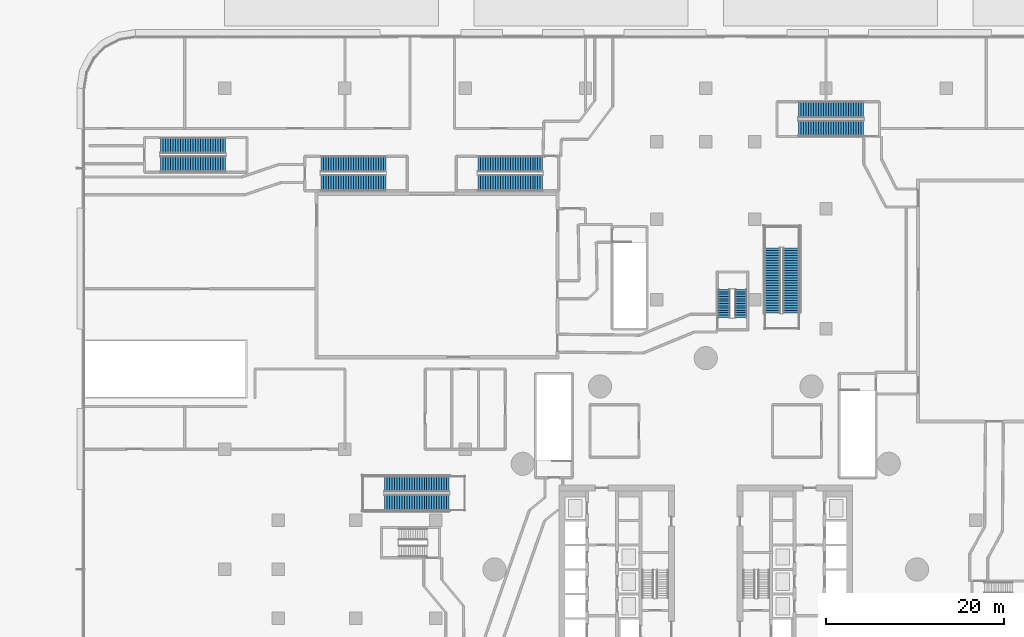
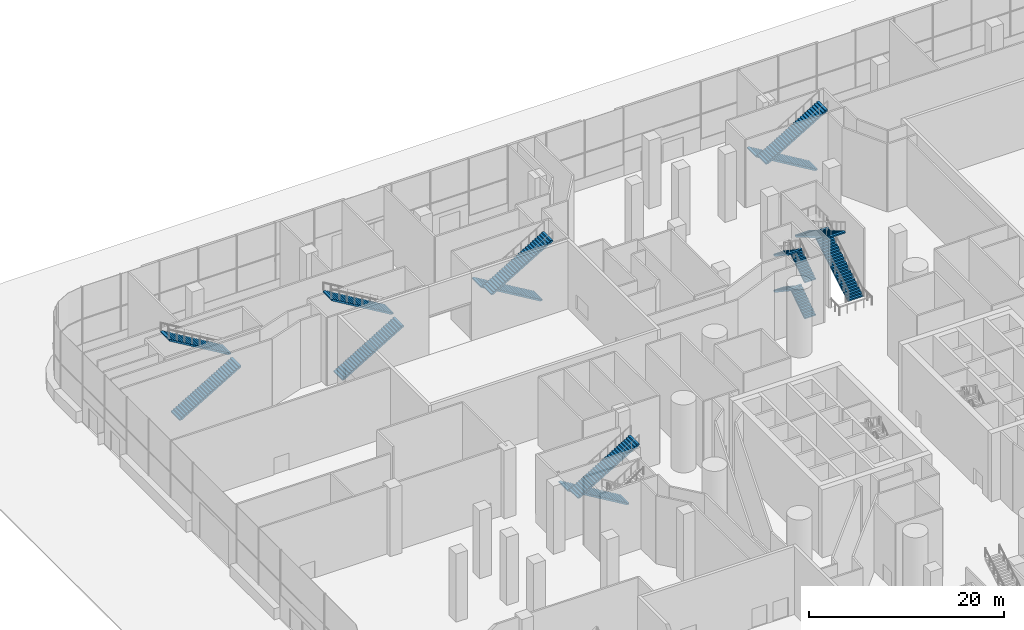
# One storey, part 36 of 54: 16 stair flights, 7 elements without a shape of their own.
"""IFC4 building model written with IfcOpenShell, lengths in metres."""

from ifc_helpers import new_model, si_unit, direction, frame, origin, place, context, subcontext, project, spatial, polyline, outline, extrude, material, type_object, element, aggregate, save


model = new_model("IFC4")

# Units and contexts
model_context = context("Model", 3, precision=1e-05, world=origin(), true_north=direction((0.0, 1.0)))
body_context = subcontext(model_context, "Body", "Model", "MODEL_VIEW")
ifc_project = project(units=[si_unit("LENGTHUNIT", "METRE"), si_unit("AREAUNIT", "SQUARE_METRE"), si_unit("VOLUMEUNIT", "CUBIC_METRE"), si_unit("PLANEANGLEUNIT", "RADIAN"), si_unit("MASSUNIT", "GRAM", prefix="KILO")], contexts=[model_context])

# Site, building, storey
site_placement = place(None, origin())
site = spatial("IfcSite", under=ifc_project, at=site_placement, CompositionType="ELEMENT")
building_placement = place(site_placement, origin())
building = spatial("IfcBuilding", under=site, at=building_placement, Name="Tamarind Cross Interchange Tower", CompositionType="ELEMENT")
storey_placement = place(building_placement, origin())
storey = spatial("IfcBuildingStorey", under=building, at=storey_placement, Name="L00", CompositionType="ELEMENT", Elevation=0.0)

# Stair, stair flights
ifc_material_1 = material(Name="Exit stair")
stair_type_1 = type_object("IfcStairType", Name="Exit stair", PredefinedType="HALF_TURN_STAIR", material=ifc_material_1)
stair_1_placement = place(storey_placement, origin())
stair_1 = element("IfcStair", 1, at=stair_1_placement, inside=storey, type_object=stair_type_1, Name="L00 exit stair ST4", PredefinedType="HALF_TURN_STAIR")
ifc_material_2 = material(Name="Exit stair flight")
stair_flight_type_1 = type_object("IfcStairFlightType", Name="Exit stair flight", PredefinedType="STRAIGHT", material=ifc_material_2)
stair_flight_1_placement = place(storey_placement, frame((3.949951171875, 28.300048828125, 0.0), z_axis=(0.0, 0.0, 1.0), x_axis=(0.0, 1.0, 0.0)))
stair_flight_1 = element("IfcStairFlight", 2, at=stair_flight_1_placement, type_object=stair_flight_type_1, Name="ST4 flight 1", NumberOfRisers=13, NumberOfTreads=12, PredefinedType="STRAIGHT", RiserHeight=0.173076923, TreadLength=0.26, context=body_context, shape_type="SweptSolid", body=[
    extrude(outline(polyline([(0.0, 0.0), (0.0, 0.173095703125), (0.260009765625, 0.173095703125), (0.260009765625, 0.34619140625), (0.52001953125, 0.34619140625), (0.52001953125, 0.519287109375), (0.780029296875, 0.519287109375), (0.780029296875, 0.6923828125), (1.0400390625, 0.6923828125), (1.0400390625, 0.865478515625), (1.300048828125, 0.865478515625), (1.300048828125, 1.03857421875), (1.56005859375, 1.03857421875), (1.56005859375, 1.21142578125), (1.820068359375, 1.21142578125), (1.820068359375, 1.384521484375), (2.080078125, 1.384521484375), (2.080078125, 1.5576171875), (2.340087890625, 1.5576171875), (2.340087890625, 1.730712890625), (2.60009765625, 1.730712890625), (2.60009765625, 1.90380859375), (2.860107421875, 1.90380859375), (2.860107421875, 2.076904296875), (3.1201171875, 2.076904296875), (3.1201171875, 2.25), (3.1201171875, 1.896728515625), (0.2705078125, 0.0), (0.0, 0.0)])), frame((0.0, 0.64990234375, 0.0), z_axis=(0.0, -1.0, 0.0), x_axis=(1.0, 0.0, 0.0)), (0.0, 0.0, 1.0), 1.300048828125),
])
stair_flight_2_placement = place(storey_placement, frame((2.050048828125, 31.419921875, 2.25), z_axis=(0.0, 0.0, 1.0), x_axis=(0.0, -1.0, 0.0)))
stair_flight_2 = element("IfcStairFlight", 3, at=stair_flight_2_placement, type_object=stair_flight_type_1, Name="ST4 flight 2", NumberOfRisers=13, NumberOfTreads=12, PredefinedType="STRAIGHT", RiserHeight=0.173076923, TreadLength=0.26, context=body_context, shape_type="SweptSolid", body=[
    extrude(outline(polyline([(0.0, 0.0), (0.0, 0.173095703125), (0.260009765625, 0.173095703125), (0.260009765625, 0.34619140625), (0.52001953125, 0.34619140625), (0.52001953125, 0.519287109375), (0.780029296875, 0.519287109375), (0.780029296875, 0.6923828125), (1.0400390625, 0.6923828125), (1.0400390625, 0.865478515625), (1.300048828125, 0.865478515625), (1.300048828125, 1.03857421875), (1.56005859375, 1.03857421875), (1.56005859375, 1.21142578125), (1.820068359375, 1.21142578125), (1.820068359375, 1.384521484375), (2.080078125, 1.384521484375), (2.080078125, 1.5576171875), (2.340087890625, 1.5576171875), (2.340087890625, 1.730712890625), (2.60009765625, 1.730712890625), (2.60009765625, 1.90380859375), (2.860107421875, 1.90380859375), (2.860107421875, 2.076904296875), (3.1201171875, 2.076904296875), (3.1201171875, 2.25), (3.1201171875, 1.896728515625), (0.2705078125, 0.0), (0.0, 0.0)])), frame((0.0, 0.64990234375, 0.0), z_axis=(0.0, -1.0, 0.0), x_axis=(1.0, 0.0, 0.0)), (0.0, 0.0, 1.0), 1.300048828125),
])
stair_flight_3_placement = place(storey_placement, frame((3.949951171875, 28.300048828125, 4.5), z_axis=(0.0, 0.0, 1.0), x_axis=(0.0, 1.0, 0.0)))
stair_flight_3 = element("IfcStairFlight", 4, at=stair_flight_3_placement, type_object=stair_flight_type_1, Name="ST4 flight 3", NumberOfRisers=13, NumberOfTreads=12, PredefinedType="STRAIGHT", RiserHeight=0.173076923, TreadLength=0.26, context=body_context, shape_type="SweptSolid", body=[
    extrude(outline(polyline([(0.0, 0.0), (0.0, 0.173095703125), (0.260009765625, 0.173095703125), (0.260009765625, 0.34619140625), (0.52001953125, 0.34619140625), (0.52001953125, 0.519287109375), (0.780029296875, 0.519287109375), (0.780029296875, 0.6923828125), (1.0400390625, 0.6923828125), (1.0400390625, 0.865478515625), (1.300048828125, 0.865478515625), (1.300048828125, 1.03857421875), (1.56005859375, 1.03857421875), (1.56005859375, 1.21142578125), (1.820068359375, 1.21142578125), (1.820068359375, 1.384521484375), (2.080078125, 1.384521484375), (2.080078125, 1.5576171875), (2.340087890625, 1.5576171875), (2.340087890625, 1.730712890625), (2.60009765625, 1.730712890625), (2.60009765625, 1.90380859375), (2.860107421875, 1.90380859375), (2.860107421875, 2.076904296875), (3.1201171875, 2.076904296875), (3.1201171875, 2.25), (3.1201171875, 1.896728515625), (0.2705078125, 0.0), (0.0, 0.0)])), frame((0.0, 0.64990234375, 0.0), z_axis=(0.0, -1.0, 0.0), x_axis=(1.0, 0.0, 0.0)), (0.0, 0.0, 1.0), 1.300048828125),
])
stair_flight_4_placement = place(storey_placement, frame((2.050048828125, 31.419921875, 6.75), z_axis=(0.0, 0.0, 1.0), x_axis=(0.0, -1.0, 0.0)))
stair_flight_4 = element("IfcStairFlight", 5, at=stair_flight_4_placement, type_object=stair_flight_type_1, Name="ST4 flight 4", NumberOfRisers=13, NumberOfTreads=12, PredefinedType="STRAIGHT", RiserHeight=0.173076923, TreadLength=0.26, context=body_context, shape_type="SweptSolid", body=[
    extrude(outline(polyline([(0.0, 0.0), (0.0, 0.173095703125), (0.260009765625, 0.173095703125), (0.260009765625, 0.34619140625), (0.52001953125, 0.34619140625), (0.52001953125, 0.519287109375), (0.780029296875, 0.519287109375), (0.780029296875, 0.6923828125), (1.0400390625, 0.6923828125), (1.0400390625, 0.865478515625), (1.300048828125, 0.865478515625), (1.300048828125, 1.03857421875), (1.56005859375, 1.03857421875), (1.56005859375, 1.21142578125), (1.820068359375, 1.21142578125), (1.820068359375, 1.384521484375), (2.080078125, 1.384521484375), (2.080078125, 1.5576171875), (2.340087890625, 1.5576171875), (2.340087890625, 1.730712890625), (2.60009765625, 1.730712890625), (2.60009765625, 1.90380859375), (2.860107421875, 1.90380859375), (2.860107421875, 2.076904296875), (3.1201171875, 2.076904296875), (3.1201171875, 2.25), (3.1201171875, 1.896728515625), (0.2705078125, 0.0), (0.0, 0.0)])), frame((0.0, 0.64990234375, 0.0), z_axis=(0.0, -1.0, 0.0), x_axis=(1.0, 0.0, 0.0)), (0.0, 0.0, 1.0), 1.300048828125),
])
aggregate(stair_1, [stair_flight_1, stair_flight_2, stair_flight_3, stair_flight_4])

ifc_material_3 = material(Name="Public stair")
stair_type_2 = type_object("IfcStairType", Name="Public stair", PredefinedType="HALF_TURN_STAIR", material=ifc_material_3)
stair_2_placement = place(storey_placement, origin())
stair_2 = element("IfcStair", 6, at=stair_2_placement, inside=storey, type_object=stair_type_2, Name="L00 public stair PS-W", PredefinedType="HALF_TURN_STAIR")
ifc_material_4 = material(Name="Public stair flight")
stair_flight_type_2 = type_object("IfcStairFlightType", Name="Public stair flight", PredefinedType="STRAIGHT", material=ifc_material_4)
stair_flight_5_placement = place(storey_placement, frame((-28.800048828125, 9.60009765625, 0.0), z_axis=(0.0, 0.0, 1.0), x_axis=(-1.0, 0.0, 0.0)))
stair_flight_5 = element("IfcStairFlight", 7, at=stair_flight_5_placement, type_object=stair_flight_type_2, Name="PS-W flight 1", NumberOfRisers=27, NumberOfTreads=26, PredefinedType="STRAIGHT", RiserHeight=0.166666667, TreadLength=0.28, context=body_context, shape_type="SweptSolid", body=[
    extrude(outline(polyline([(0.0, 0.0), (0.0, 0.166748046875), (0.280029296875, 0.166748046875), (0.280029296875, 0.333251953125), (0.56005859375, 0.333251953125), (0.56005859375, 0.5), (0.840087890625, 0.5), (0.840087890625, 0.666748046875), (1.1201171875, 0.666748046875), (1.1201171875, 0.833251953125), (1.39990234375, 0.833251953125), (1.39990234375, 1.0), (1.679931640625, 1.0), (1.679931640625, 1.166748046875), (1.9599609375, 1.166748046875), (1.9599609375, 1.333251953125), (2.239990234375, 1.333251953125), (2.239990234375, 1.5), (2.52001953125, 1.5), (2.52001953125, 1.666748046875), (2.800048828125, 1.666748046875), (2.800048828125, 1.833251953125), (3.080078125, 1.833251953125), (3.080078125, 2.0), (3.360107421875, 2.0), (3.360107421875, 2.166748046875), (3.639892578125, 2.166748046875), (3.639892578125, 2.333251953125), (3.919921875, 2.333251953125), (3.919921875, 2.5), (4.199951171875, 2.5), (4.199951171875, 2.666748046875), (4.47998046875, 2.666748046875), (4.47998046875, 2.833251953125), (4.760009765625, 2.833251953125), (4.760009765625, 3.0), (5.0400390625, 3.0), (5.0400390625, 3.166748046875), (5.320068359375, 3.166748046875), (5.320068359375, 3.333251953125), (5.60009765625, 3.333251953125), (5.60009765625, 3.5), (5.8798828125, 3.5), (5.8798828125, 3.666748046875), (6.159912109375, 3.666748046875), (6.159912109375, 3.833251953125), (6.43994140625, 3.833251953125), (6.43994140625, 4.0), (6.719970703125, 4.0), (6.719970703125, 4.166748046875), (7.0, 4.166748046875), (7.0, 4.333251953125), (7.280029296875, 4.333251953125), (7.280029296875, 4.5), (7.280029296875, 4.158935546875), (0.29296875, 0.0), (0.0, 0.0)])), frame((0.0, 0.89990234375, 0.0), z_axis=(0.0, -1.0, 0.0), x_axis=(1.0, 0.0, 0.0)), (0.0, 0.0, 1.0), 1.800048828125),
])
stair_flight_6_placement = place(storey_placement, frame((-36.080078125, 7.5, 4.5), z_axis=(0.0, 0.0, 1.0), x_axis=(1.0, 0.0, 0.0)))
stair_flight_6 = element("IfcStairFlight", 8, at=stair_flight_6_placement, type_object=stair_flight_type_2, Name="PS-W flight 2", NumberOfRisers=27, NumberOfTreads=26, PredefinedType="STRAIGHT", RiserHeight=0.166666667, TreadLength=0.28, context=body_context, shape_type="SweptSolid", body=[
    extrude(outline(polyline([(0.0, 0.0), (0.0, 0.166748046875), (0.280029296875, 0.166748046875), (0.280029296875, 0.333251953125), (0.56005859375, 0.333251953125), (0.56005859375, 0.5), (0.840087890625, 0.5), (0.840087890625, 0.666748046875), (1.1201171875, 0.666748046875), (1.1201171875, 0.833251953125), (1.39990234375, 0.833251953125), (1.39990234375, 1.0), (1.679931640625, 1.0), (1.679931640625, 1.166748046875), (1.9599609375, 1.166748046875), (1.9599609375, 1.333251953125), (2.239990234375, 1.333251953125), (2.239990234375, 1.5), (2.52001953125, 1.5), (2.52001953125, 1.666748046875), (2.800048828125, 1.666748046875), (2.800048828125, 1.833251953125), (3.080078125, 1.833251953125), (3.080078125, 2.0), (3.360107421875, 2.0), (3.360107421875, 2.166748046875), (3.639892578125, 2.166748046875), (3.639892578125, 2.333251953125), (3.919921875, 2.333251953125), (3.919921875, 2.5), (4.199951171875, 2.5), (4.199951171875, 2.666748046875), (4.47998046875, 2.666748046875), (4.47998046875, 2.833251953125), (4.760009765625, 2.833251953125), (4.760009765625, 3.0), (5.0400390625, 3.0), (5.0400390625, 3.166748046875), (5.320068359375, 3.166748046875), (5.320068359375, 3.333251953125), (5.60009765625, 3.333251953125), (5.60009765625, 3.5), (5.8798828125, 3.5), (5.8798828125, 3.666748046875), (6.159912109375, 3.666748046875), (6.159912109375, 3.833251953125), (6.43994140625, 3.833251953125), (6.43994140625, 4.0), (6.719970703125, 4.0), (6.719970703125, 4.166748046875), (7.0, 4.166748046875), (7.0, 4.333251953125), (7.280029296875, 4.333251953125), (7.280029296875, 4.5), (7.280029296875, 4.158935546875), (0.29296875, 0.0), (0.0, 0.0)])), frame((0.0, 0.89990234375, 0.0), z_axis=(0.0, -1.0, 0.0), x_axis=(1.0, 0.0, 0.0)), (0.0, 0.0, 1.0), 1.800048828125),
])
aggregate(stair_2, [stair_flight_5, stair_flight_6])

stair_3_placement = place(storey_placement, origin())
stair_3 = element("IfcStair", 9, at=stair_3_placement, inside=storey, type_object=stair_type_2, Name="L00 public stair PS-N", PredefinedType="HALF_TURN_STAIR")
stair_flight_7_placement = place(storey_placement, frame((9.60009765625, 28.800048828125, 0.0), z_axis=(0.0, 0.0, 1.0), x_axis=(0.0, 1.0, 0.0)))
stair_flight_7 = element("IfcStairFlight", 10, at=stair_flight_7_placement, type_object=stair_flight_type_2, Name="PS-N flight 1", NumberOfRisers=27, NumberOfTreads=26, PredefinedType="STRAIGHT", RiserHeight=0.166666667, TreadLength=0.28, context=body_context, shape_type="SweptSolid", body=[
    extrude(outline(polyline([(0.0, 0.0), (0.0, 0.166748046875), (0.280029296875, 0.166748046875), (0.280029296875, 0.333251953125), (0.56005859375, 0.333251953125), (0.56005859375, 0.5), (0.840087890625, 0.5), (0.840087890625, 0.666748046875), (1.1201171875, 0.666748046875), (1.1201171875, 0.833251953125), (1.39990234375, 0.833251953125), (1.39990234375, 1.0), (1.679931640625, 1.0), (1.679931640625, 1.166748046875), (1.9599609375, 1.166748046875), (1.9599609375, 1.333251953125), (2.239990234375, 1.333251953125), (2.239990234375, 1.5), (2.52001953125, 1.5), (2.52001953125, 1.666748046875), (2.800048828125, 1.666748046875), (2.800048828125, 1.833251953125), (3.080078125, 1.833251953125), (3.080078125, 2.0), (3.360107421875, 2.0), (3.360107421875, 2.166748046875), (3.639892578125, 2.166748046875), (3.639892578125, 2.333251953125), (3.919921875, 2.333251953125), (3.919921875, 2.5), (4.199951171875, 2.5), (4.199951171875, 2.666748046875), (4.47998046875, 2.666748046875), (4.47998046875, 2.833251953125), (4.760009765625, 2.833251953125), (4.760009765625, 3.0), (5.0400390625, 3.0), (5.0400390625, 3.166748046875), (5.320068359375, 3.166748046875), (5.320068359375, 3.333251953125), (5.60009765625, 3.333251953125), (5.60009765625, 3.5), (5.8798828125, 3.5), (5.8798828125, 3.666748046875), (6.159912109375, 3.666748046875), (6.159912109375, 3.833251953125), (6.43994140625, 3.833251953125), (6.43994140625, 4.0), (6.719970703125, 4.0), (6.719970703125, 4.166748046875), (7.0, 4.166748046875), (7.0, 4.333251953125), (7.280029296875, 4.333251953125), (7.280029296875, 4.5), (7.280029296875, 4.158935546875), (0.29296875, 0.0), (0.0, 0.0)])), frame((0.0, 0.89990234375, 0.0), z_axis=(0.0, -1.0, 0.0), x_axis=(1.0, 0.0, 0.0)), (0.0, 0.0, 1.0), 1.800048828125),
])
stair_flight_8_placement = place(storey_placement, frame((7.5, 36.080078125, 4.5), z_axis=(0.0, 0.0, 1.0), x_axis=(0.0, -1.0, 0.0)))
stair_flight_8 = element("IfcStairFlight", 11, at=stair_flight_8_placement, type_object=stair_flight_type_2, Name="PS-N flight 2", NumberOfRisers=27, NumberOfTreads=26, PredefinedType="STRAIGHT", RiserHeight=0.166666667, TreadLength=0.28, context=body_context, shape_type="SweptSolid", body=[
    extrude(outline(polyline([(0.0, 0.0), (0.0, 0.166748046875), (0.280029296875, 0.166748046875), (0.280029296875, 0.333251953125), (0.56005859375, 0.333251953125), (0.56005859375, 0.5), (0.840087890625, 0.5), (0.840087890625, 0.666748046875), (1.1201171875, 0.666748046875), (1.1201171875, 0.833251953125), (1.39990234375, 0.833251953125), (1.39990234375, 1.0), (1.679931640625, 1.0), (1.679931640625, 1.166748046875), (1.9599609375, 1.166748046875), (1.9599609375, 1.333251953125), (2.239990234375, 1.333251953125), (2.239990234375, 1.5), (2.52001953125, 1.5), (2.52001953125, 1.666748046875), (2.800048828125, 1.666748046875), (2.800048828125, 1.833251953125), (3.080078125, 1.833251953125), (3.080078125, 2.0), (3.360107421875, 2.0), (3.360107421875, 2.166748046875), (3.639892578125, 2.166748046875), (3.639892578125, 2.333251953125), (3.919921875, 2.333251953125), (3.919921875, 2.5), (4.199951171875, 2.5), (4.199951171875, 2.666748046875), (4.47998046875, 2.666748046875), (4.47998046875, 2.833251953125), (4.760009765625, 2.833251953125), (4.760009765625, 3.0), (5.0400390625, 3.0), (5.0400390625, 3.166748046875), (5.320068359375, 3.166748046875), (5.320068359375, 3.333251953125), (5.60009765625, 3.333251953125), (5.60009765625, 3.5), (5.8798828125, 3.5), (5.8798828125, 3.666748046875), (6.159912109375, 3.666748046875), (6.159912109375, 3.833251953125), (6.43994140625, 3.833251953125), (6.43994140625, 4.0), (6.719970703125, 4.0), (6.719970703125, 4.166748046875), (7.0, 4.166748046875), (7.0, 4.333251953125), (7.280029296875, 4.333251953125), (7.280029296875, 4.5), (7.280029296875, 4.158935546875), (0.29296875, 0.0), (0.0, 0.0)])), frame((0.0, 0.89990234375, 0.0), z_axis=(0.0, -1.0, 0.0), x_axis=(1.0, 0.0, 0.0)), (0.0, 0.0, 1.0), 1.800048828125),
])
aggregate(stair_3, [stair_flight_7, stair_flight_8])

stair_4_placement = place(storey_placement, origin())
stair_4 = element("IfcStair", 12, at=stair_4_placement, inside=storey, type_object=stair_type_2, Name="L00 exit stair XS-P03", PredefinedType="HALF_TURN_STAIR")
stair_flight_9_placement = place(storey_placement, frame((17.699951171875, 51.60009765625, 0.0), z_axis=(0.0, 0.0, 1.0), x_axis=(-1.0, 0.0, 0.0)))
stair_flight_9 = element("IfcStairFlight", 13, at=stair_flight_9_placement, type_object=stair_flight_type_2, Name="XS-P03 flight 1", NumberOfRisers=27, NumberOfTreads=26, PredefinedType="STRAIGHT", RiserHeight=0.166666667, TreadLength=0.28, context=body_context, shape_type="SweptSolid", body=[
    extrude(outline(polyline([(0.0, 0.0), (0.0, 0.166748046875), (0.280029296875, 0.166748046875), (0.280029296875, 0.333251953125), (0.56005859375, 0.333251953125), (0.56005859375, 0.5), (0.840087890625, 0.5), (0.840087890625, 0.666748046875), (1.1201171875, 0.666748046875), (1.1201171875, 0.833251953125), (1.39990234375, 0.833251953125), (1.39990234375, 1.0), (1.679931640625, 1.0), (1.679931640625, 1.166748046875), (1.9599609375, 1.166748046875), (1.9599609375, 1.333251953125), (2.239990234375, 1.333251953125), (2.239990234375, 1.5), (2.52001953125, 1.5), (2.52001953125, 1.666748046875), (2.800048828125, 1.666748046875), (2.800048828125, 1.833251953125), (3.080078125, 1.833251953125), (3.080078125, 2.0), (3.360107421875, 2.0), (3.360107421875, 2.166748046875), (3.639892578125, 2.166748046875), (3.639892578125, 2.333251953125), (3.919921875, 2.333251953125), (3.919921875, 2.5), (4.199951171875, 2.5), (4.199951171875, 2.666748046875), (4.47998046875, 2.666748046875), (4.47998046875, 2.833251953125), (4.760009765625, 2.833251953125), (4.760009765625, 3.0), (5.0400390625, 3.0), (5.0400390625, 3.166748046875), (5.320068359375, 3.166748046875), (5.320068359375, 3.333251953125), (5.60009765625, 3.333251953125), (5.60009765625, 3.5), (5.8798828125, 3.5), (5.8798828125, 3.666748046875), (6.159912109375, 3.666748046875), (6.159912109375, 3.833251953125), (6.43994140625, 3.833251953125), (6.43994140625, 4.0), (6.719970703125, 4.0), (6.719970703125, 4.166748046875), (7.0, 4.166748046875), (7.0, 4.333251953125), (7.280029296875, 4.333251953125), (7.280029296875, 4.5), (7.280029296875, 4.158935546875), (0.29296875, 0.0), (0.0, 0.0)])), frame((0.0, 0.89990234375, 0.0), z_axis=(0.0, -1.0, 0.0), x_axis=(1.0, 0.0, 0.0)), (0.0, 0.0, 1.0), 1.800048828125),
])
stair_flight_10_placement = place(storey_placement, frame((10.419921875, 49.5, 4.5), z_axis=(0.0, 0.0, 1.0), x_axis=(1.0, 0.0, 0.0)))
stair_flight_10 = element("IfcStairFlight", 14, at=stair_flight_10_placement, type_object=stair_flight_type_2, Name="XS-P03 flight 2", NumberOfRisers=27, NumberOfTreads=26, PredefinedType="STRAIGHT", RiserHeight=0.166666667, TreadLength=0.28, context=body_context, shape_type="SweptSolid", body=[
    extrude(outline(polyline([(0.0, 0.0), (0.0, 0.166748046875), (0.280029296875, 0.166748046875), (0.280029296875, 0.333251953125), (0.56005859375, 0.333251953125), (0.56005859375, 0.5), (0.840087890625, 0.5), (0.840087890625, 0.666748046875), (1.1201171875, 0.666748046875), (1.1201171875, 0.833251953125), (1.39990234375, 0.833251953125), (1.39990234375, 1.0), (1.679931640625, 1.0), (1.679931640625, 1.166748046875), (1.9599609375, 1.166748046875), (1.9599609375, 1.333251953125), (2.239990234375, 1.333251953125), (2.239990234375, 1.5), (2.52001953125, 1.5), (2.52001953125, 1.666748046875), (2.800048828125, 1.666748046875), (2.800048828125, 1.833251953125), (3.080078125, 1.833251953125), (3.080078125, 2.0), (3.360107421875, 2.0), (3.360107421875, 2.166748046875), (3.639892578125, 2.166748046875), (3.639892578125, 2.333251953125), (3.919921875, 2.333251953125), (3.919921875, 2.5), (4.199951171875, 2.5), (4.199951171875, 2.666748046875), (4.47998046875, 2.666748046875), (4.47998046875, 2.833251953125), (4.760009765625, 2.833251953125), (4.760009765625, 3.0), (5.0400390625, 3.0), (5.0400390625, 3.166748046875), (5.320068359375, 3.166748046875), (5.320068359375, 3.333251953125), (5.60009765625, 3.333251953125), (5.60009765625, 3.5), (5.8798828125, 3.5), (5.8798828125, 3.666748046875), (6.159912109375, 3.666748046875), (6.159912109375, 3.833251953125), (6.43994140625, 3.833251953125), (6.43994140625, 4.0), (6.719970703125, 4.0), (6.719970703125, 4.166748046875), (7.0, 4.166748046875), (7.0, 4.333251953125), (7.280029296875, 4.333251953125), (7.280029296875, 4.5), (7.280029296875, 4.158935546875), (0.29296875, 0.0), (0.0, 0.0)])), frame((0.0, 0.89990234375, 0.0), z_axis=(0.0, -1.0, 0.0), x_axis=(1.0, 0.0, 0.0)), (0.0, 0.0, 1.0), 1.800048828125),
])
aggregate(stair_4, [stair_flight_9, stair_flight_10])

stair_5_placement = place(storey_placement, origin())
stair_5 = element("IfcStair", 15, at=stair_5_placement, inside=storey, type_object=stair_type_2, Name="L00 exit stair XS-P04", PredefinedType="HALF_TURN_STAIR")
stair_flight_11_placement = place(storey_placement, frame((-43.199951171875, 43.39990234375, 0.0), z_axis=(0.0, 0.0, 1.0), x_axis=(1.0, 0.0, 0.0)))
stair_flight_11 = element("IfcStairFlight", 16, at=stair_flight_11_placement, type_object=stair_flight_type_2, Name="XS-P04 flight 1", NumberOfRisers=27, NumberOfTreads=26, PredefinedType="STRAIGHT", RiserHeight=0.166666667, TreadLength=0.28, context=body_context, shape_type="SweptSolid", body=[
    extrude(outline(polyline([(0.0, 0.0), (0.0, 0.166748046875), (0.280029296875, 0.166748046875), (0.280029296875, 0.333251953125), (0.56005859375, 0.333251953125), (0.56005859375, 0.5), (0.840087890625, 0.5), (0.840087890625, 0.666748046875), (1.1201171875, 0.666748046875), (1.1201171875, 0.833251953125), (1.39990234375, 0.833251953125), (1.39990234375, 1.0), (1.679931640625, 1.0), (1.679931640625, 1.166748046875), (1.9599609375, 1.166748046875), (1.9599609375, 1.333251953125), (2.239990234375, 1.333251953125), (2.239990234375, 1.5), (2.52001953125, 1.5), (2.52001953125, 1.666748046875), (2.800048828125, 1.666748046875), (2.800048828125, 1.833251953125), (3.080078125, 1.833251953125), (3.080078125, 2.0), (3.360107421875, 2.0), (3.360107421875, 2.166748046875), (3.639892578125, 2.166748046875), (3.639892578125, 2.333251953125), (3.919921875, 2.333251953125), (3.919921875, 2.5), (4.199951171875, 2.5), (4.199951171875, 2.666748046875), (4.47998046875, 2.666748046875), (4.47998046875, 2.833251953125), (4.760009765625, 2.833251953125), (4.760009765625, 3.0), (5.0400390625, 3.0), (5.0400390625, 3.166748046875), (5.320068359375, 3.166748046875), (5.320068359375, 3.333251953125), (5.60009765625, 3.333251953125), (5.60009765625, 3.5), (5.8798828125, 3.5), (5.8798828125, 3.666748046875), (6.159912109375, 3.666748046875), (6.159912109375, 3.833251953125), (6.43994140625, 3.833251953125), (6.43994140625, 4.0), (6.719970703125, 4.0), (6.719970703125, 4.166748046875), (7.0, 4.166748046875), (7.0, 4.333251953125), (7.280029296875, 4.333251953125), (7.280029296875, 4.5), (7.280029296875, 4.158935546875), (0.29296875, 0.0), (0.0, 0.0)])), frame((0.0, 0.89990234375, 0.0), z_axis=(0.0, -1.0, 0.0), x_axis=(1.0, 0.0, 0.0)), (0.0, 0.0, 1.0), 1.800048828125),
])
stair_flight_12_placement = place(storey_placement, frame((-35.919921875, 45.5, 4.5), z_axis=(0.0, 0.0, 1.0), x_axis=(-1.0, 0.0, 0.0)))
stair_flight_12 = element("IfcStairFlight", 17, at=stair_flight_12_placement, type_object=stair_flight_type_2, Name="XS-P04 flight 2", NumberOfRisers=27, NumberOfTreads=26, PredefinedType="STRAIGHT", RiserHeight=0.166666667, TreadLength=0.28, context=body_context, shape_type="SweptSolid", body=[
    extrude(outline(polyline([(0.0, 0.0), (0.0, 0.166748046875), (0.280029296875, 0.166748046875), (0.280029296875, 0.333251953125), (0.56005859375, 0.333251953125), (0.56005859375, 0.5), (0.840087890625, 0.5), (0.840087890625, 0.666748046875), (1.1201171875, 0.666748046875), (1.1201171875, 0.833251953125), (1.39990234375, 0.833251953125), (1.39990234375, 1.0), (1.679931640625, 1.0), (1.679931640625, 1.166748046875), (1.9599609375, 1.166748046875), (1.9599609375, 1.333251953125), (2.239990234375, 1.333251953125), (2.239990234375, 1.5), (2.52001953125, 1.5), (2.52001953125, 1.666748046875), (2.800048828125, 1.666748046875), (2.800048828125, 1.833251953125), (3.080078125, 1.833251953125), (3.080078125, 2.0), (3.360107421875, 2.0), (3.360107421875, 2.166748046875), (3.639892578125, 2.166748046875), (3.639892578125, 2.333251953125), (3.919921875, 2.333251953125), (3.919921875, 2.5), (4.199951171875, 2.5), (4.199951171875, 2.666748046875), (4.47998046875, 2.666748046875), (4.47998046875, 2.833251953125), (4.760009765625, 2.833251953125), (4.760009765625, 3.0), (5.0400390625, 3.0), (5.0400390625, 3.166748046875), (5.320068359375, 3.166748046875), (5.320068359375, 3.333251953125), (5.60009765625, 3.333251953125), (5.60009765625, 3.5), (5.8798828125, 3.5), (5.8798828125, 3.666748046875), (6.159912109375, 3.666748046875), (6.159912109375, 3.833251953125), (6.43994140625, 3.833251953125), (6.43994140625, 4.0), (6.719970703125, 4.0), (6.719970703125, 4.166748046875), (7.0, 4.166748046875), (7.0, 4.333251953125), (7.280029296875, 4.333251953125), (7.280029296875, 4.5), (7.280029296875, 4.158935546875), (0.29296875, 0.0), (0.0, 0.0)])), frame((0.0, 0.89990234375, 0.0), z_axis=(0.0, -1.0, 0.0), x_axis=(1.0, 0.0, 0.0)), (0.0, 0.0, 1.0), 1.800048828125),
])
aggregate(stair_5, [stair_flight_11, stair_flight_12])

stair_6_placement = place(storey_placement, origin())
stair_6 = element("IfcStair", 18, at=stair_6_placement, inside=storey, type_object=stair_type_2, Name="L00 exit stair XS-P05", PredefinedType="HALF_TURN_STAIR")
stair_flight_13_placement = place(storey_placement, frame((-61.199951171875, 45.5, 0.0), z_axis=(0.0, 0.0, 1.0), x_axis=(1.0, 0.0, 0.0)))
stair_flight_13 = element("IfcStairFlight", 19, at=stair_flight_13_placement, type_object=stair_flight_type_2, Name="XS-P05 flight 1", NumberOfRisers=27, NumberOfTreads=26, PredefinedType="STRAIGHT", RiserHeight=0.166666667, TreadLength=0.28, context=body_context, shape_type="SweptSolid", body=[
    extrude(outline(polyline([(0.0, 0.0), (0.0, 0.166748046875), (0.280029296875, 0.166748046875), (0.280029296875, 0.333251953125), (0.56005859375, 0.333251953125), (0.56005859375, 0.5), (0.840087890625, 0.5), (0.840087890625, 0.666748046875), (1.1201171875, 0.666748046875), (1.1201171875, 0.833251953125), (1.39990234375, 0.833251953125), (1.39990234375, 1.0), (1.679931640625, 1.0), (1.679931640625, 1.166748046875), (1.9599609375, 1.166748046875), (1.9599609375, 1.333251953125), (2.239990234375, 1.333251953125), (2.239990234375, 1.5), (2.52001953125, 1.5), (2.52001953125, 1.666748046875), (2.800048828125, 1.666748046875), (2.800048828125, 1.833251953125), (3.080078125, 1.833251953125), (3.080078125, 2.0), (3.360107421875, 2.0), (3.360107421875, 2.166748046875), (3.639892578125, 2.166748046875), (3.639892578125, 2.333251953125), (3.919921875, 2.333251953125), (3.919921875, 2.5), (4.199951171875, 2.5), (4.199951171875, 2.666748046875), (4.47998046875, 2.666748046875), (4.47998046875, 2.833251953125), (4.760009765625, 2.833251953125), (4.760009765625, 3.0), (5.0400390625, 3.0), (5.0400390625, 3.166748046875), (5.320068359375, 3.166748046875), (5.320068359375, 3.333251953125), (5.60009765625, 3.333251953125), (5.60009765625, 3.5), (5.8798828125, 3.5), (5.8798828125, 3.666748046875), (6.159912109375, 3.666748046875), (6.159912109375, 3.833251953125), (6.43994140625, 3.833251953125), (6.43994140625, 4.0), (6.719970703125, 4.0), (6.719970703125, 4.166748046875), (7.0, 4.166748046875), (7.0, 4.333251953125), (7.280029296875, 4.333251953125), (7.280029296875, 4.5), (7.280029296875, 4.158935546875), (0.29296875, 0.0), (0.0, 0.0)])), frame((0.0, 0.89990234375, 0.0), z_axis=(0.0, -1.0, 0.0), x_axis=(1.0, 0.0, 0.0)), (0.0, 0.0, 1.0), 1.800048828125),
])
stair_flight_14_placement = place(storey_placement, frame((-53.919921875, 47.60009765625, 4.5), z_axis=(0.0, 0.0, 1.0), x_axis=(-1.0, 0.0, 0.0)))
stair_flight_14 = element("IfcStairFlight", 20, at=stair_flight_14_placement, type_object=stair_flight_type_2, Name="XS-P05 flight 2", NumberOfRisers=27, NumberOfTreads=26, PredefinedType="STRAIGHT", RiserHeight=0.166666667, TreadLength=0.28, context=body_context, shape_type="SweptSolid", body=[
    extrude(outline(polyline([(0.0, 0.0), (0.0, 0.166748046875), (0.280029296875, 0.166748046875), (0.280029296875, 0.333251953125), (0.56005859375, 0.333251953125), (0.56005859375, 0.5), (0.840087890625, 0.5), (0.840087890625, 0.666748046875), (1.1201171875, 0.666748046875), (1.1201171875, 0.833251953125), (1.39990234375, 0.833251953125), (1.39990234375, 1.0), (1.679931640625, 1.0), (1.679931640625, 1.166748046875), (1.9599609375, 1.166748046875), (1.9599609375, 1.333251953125), (2.239990234375, 1.333251953125), (2.239990234375, 1.5), (2.52001953125, 1.5), (2.52001953125, 1.666748046875), (2.800048828125, 1.666748046875), (2.800048828125, 1.833251953125), (3.080078125, 1.833251953125), (3.080078125, 2.0), (3.360107421875, 2.0), (3.360107421875, 2.166748046875), (3.639892578125, 2.166748046875), (3.639892578125, 2.333251953125), (3.919921875, 2.333251953125), (3.919921875, 2.5), (4.199951171875, 2.5), (4.199951171875, 2.666748046875), (4.47998046875, 2.666748046875), (4.47998046875, 2.833251953125), (4.760009765625, 2.833251953125), (4.760009765625, 3.0), (5.0400390625, 3.0), (5.0400390625, 3.166748046875), (5.320068359375, 3.166748046875), (5.320068359375, 3.333251953125), (5.60009765625, 3.333251953125), (5.60009765625, 3.5), (5.8798828125, 3.5), (5.8798828125, 3.666748046875), (6.159912109375, 3.666748046875), (6.159912109375, 3.833251953125), (6.43994140625, 3.833251953125), (6.43994140625, 4.0), (6.719970703125, 4.0), (6.719970703125, 4.166748046875), (7.0, 4.166748046875), (7.0, 4.333251953125), (7.280029296875, 4.333251953125), (7.280029296875, 4.5), (7.280029296875, 4.158935546875), (0.29296875, 0.0), (0.0, 0.0)])), frame((0.0, 0.89990234375, 0.0), z_axis=(0.0, -1.0, 0.0), x_axis=(1.0, 0.0, 0.0)), (0.0, 0.0, 1.0), 1.800048828125),
])
aggregate(stair_6, [stair_flight_13, stair_flight_14])

stair_7_placement = place(storey_placement, origin())
stair_7 = element("IfcStair", 21, at=stair_7_placement, inside=storey, type_object=stair_type_2, Name="L00 exit stair XS-P06", PredefinedType="HALF_TURN_STAIR")
stair_flight_15_placement = place(storey_placement, frame((-18.300048828125, 45.5, 0.0), z_axis=(0.0, 0.0, 1.0), x_axis=(-1.0, 0.0, 0.0)))
stair_flight_15 = element("IfcStairFlight", 22, at=stair_flight_15_placement, type_object=stair_flight_type_2, Name="XS-P06 flight 1", NumberOfRisers=27, NumberOfTreads=26, PredefinedType="STRAIGHT", RiserHeight=0.166666667, TreadLength=0.28, context=body_context, shape_type="SweptSolid", body=[
    extrude(outline(polyline([(0.0, 0.0), (0.0, 0.166748046875), (0.280029296875, 0.166748046875), (0.280029296875, 0.333251953125), (0.56005859375, 0.333251953125), (0.56005859375, 0.5), (0.840087890625, 0.5), (0.840087890625, 0.666748046875), (1.1201171875, 0.666748046875), (1.1201171875, 0.833251953125), (1.39990234375, 0.833251953125), (1.39990234375, 1.0), (1.679931640625, 1.0), (1.679931640625, 1.166748046875), (1.9599609375, 1.166748046875), (1.9599609375, 1.333251953125), (2.239990234375, 1.333251953125), (2.239990234375, 1.5), (2.52001953125, 1.5), (2.52001953125, 1.666748046875), (2.800048828125, 1.666748046875), (2.800048828125, 1.833251953125), (3.080078125, 1.833251953125), (3.080078125, 2.0), (3.360107421875, 2.0), (3.360107421875, 2.166748046875), (3.639892578125, 2.166748046875), (3.639892578125, 2.333251953125), (3.919921875, 2.333251953125), (3.919921875, 2.5), (4.199951171875, 2.5), (4.199951171875, 2.666748046875), (4.47998046875, 2.666748046875), (4.47998046875, 2.833251953125), (4.760009765625, 2.833251953125), (4.760009765625, 3.0), (5.0400390625, 3.0), (5.0400390625, 3.166748046875), (5.320068359375, 3.166748046875), (5.320068359375, 3.333251953125), (5.60009765625, 3.333251953125), (5.60009765625, 3.5), (5.8798828125, 3.5), (5.8798828125, 3.666748046875), (6.159912109375, 3.666748046875), (6.159912109375, 3.833251953125), (6.43994140625, 3.833251953125), (6.43994140625, 4.0), (6.719970703125, 4.0), (6.719970703125, 4.166748046875), (7.0, 4.166748046875), (7.0, 4.333251953125), (7.280029296875, 4.333251953125), (7.280029296875, 4.5), (7.280029296875, 4.158935546875), (0.29296875, 0.0), (0.0, 0.0)])), frame((0.0, 0.89990234375, 0.0), z_axis=(0.0, -1.0, 0.0), x_axis=(1.0, 0.0, 0.0)), (0.0, 0.0, 1.0), 1.800048828125),
])
stair_flight_16_placement = place(storey_placement, frame((-25.580078125, 43.39990234375, 4.5), z_axis=(0.0, 0.0, 1.0), x_axis=(1.0, 0.0, 0.0)))
stair_flight_16 = element("IfcStairFlight", 23, at=stair_flight_16_placement, type_object=stair_flight_type_2, Name="XS-P06 flight 2", NumberOfRisers=27, NumberOfTreads=26, PredefinedType="STRAIGHT", RiserHeight=0.166666667, TreadLength=0.28, context=body_context, shape_type="SweptSolid", body=[
    extrude(outline(polyline([(0.0, 0.0), (0.0, 0.166748046875), (0.280029296875, 0.166748046875), (0.280029296875, 0.333251953125), (0.56005859375, 0.333251953125), (0.56005859375, 0.5), (0.840087890625, 0.5), (0.840087890625, 0.666748046875), (1.1201171875, 0.666748046875), (1.1201171875, 0.833251953125), (1.39990234375, 0.833251953125), (1.39990234375, 1.0), (1.679931640625, 1.0), (1.679931640625, 1.166748046875), (1.9599609375, 1.166748046875), (1.9599609375, 1.333251953125), (2.239990234375, 1.333251953125), (2.239990234375, 1.5), (2.52001953125, 1.5), (2.52001953125, 1.666748046875), (2.800048828125, 1.666748046875), (2.800048828125, 1.833251953125), (3.080078125, 1.833251953125), (3.080078125, 2.0), (3.360107421875, 2.0), (3.360107421875, 2.166748046875), (3.639892578125, 2.166748046875), (3.639892578125, 2.333251953125), (3.919921875, 2.333251953125), (3.919921875, 2.5), (4.199951171875, 2.5), (4.199951171875, 2.666748046875), (4.47998046875, 2.666748046875), (4.47998046875, 2.833251953125), (4.760009765625, 2.833251953125), (4.760009765625, 3.0), (5.0400390625, 3.0), (5.0400390625, 3.166748046875), (5.320068359375, 3.166748046875), (5.320068359375, 3.333251953125), (5.60009765625, 3.333251953125), (5.60009765625, 3.5), (5.8798828125, 3.5), (5.8798828125, 3.666748046875), (6.159912109375, 3.666748046875), (6.159912109375, 3.833251953125), (6.43994140625, 3.833251953125), (6.43994140625, 4.0), (6.719970703125, 4.0), (6.719970703125, 4.166748046875), (7.0, 4.166748046875), (7.0, 4.333251953125), (7.280029296875, 4.333251953125), (7.280029296875, 4.5), (7.280029296875, 4.158935546875), (0.29296875, 0.0), (0.0, 0.0)])), frame((0.0, 0.89990234375, 0.0), z_axis=(0.0, -1.0, 0.0), x_axis=(1.0, 0.0, 0.0)), (0.0, 0.0, 1.0), 1.800048828125),
])
aggregate(stair_7, [stair_flight_15, stair_flight_16])

save(model, "model.ifc")
